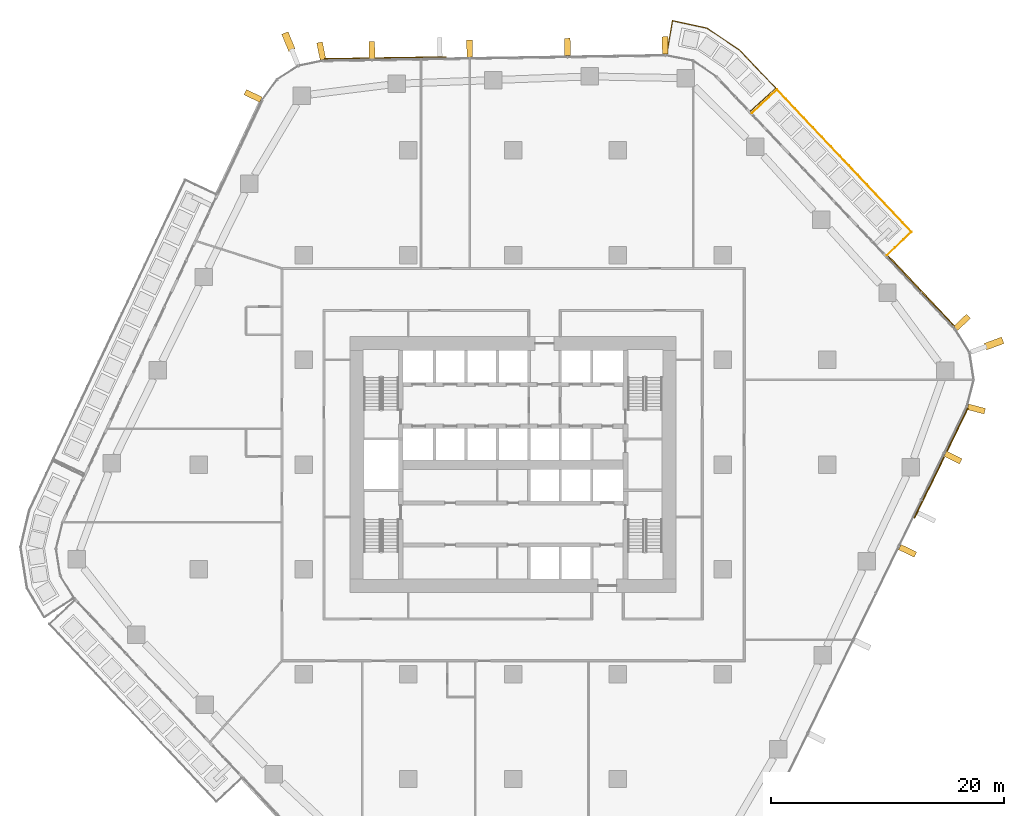
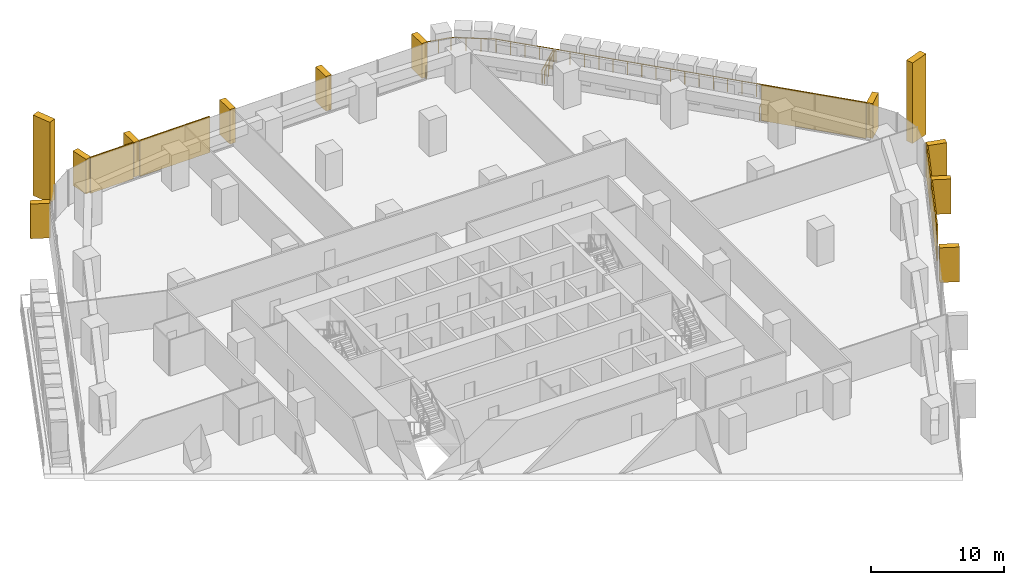
# One storey, part 25 of 25: 17 coverings, 2 railings, 6 elements without a shape of their own.
"""IFC4 building model written with IfcOpenShell, lengths in metres."""

from ifc_helpers import new_model, si_unit, direction, frame, origin, origin_2d, place, context, subcontext, project, spatial, rectangle, circle, extrude, material, layer, layer_set, material_profile, profile_set, type_object, element, aggregate, save


model = new_model("IFC4")

# Units and contexts
model_context = context("Model", 3, precision=1e-05, world=origin(), true_north=direction((0.0, 1.0)))
body_context = subcontext(model_context, "Body", "Model", "MODEL_VIEW")
ifc_project = project(units=[si_unit("LENGTHUNIT", "METRE"), si_unit("AREAUNIT", "SQUARE_METRE"), si_unit("VOLUMEUNIT", "CUBIC_METRE"), si_unit("PLANEANGLEUNIT", "RADIAN"), si_unit("MASSUNIT", "GRAM", prefix="KILO")], contexts=[model_context])

# Site, building, storey
site_placement = place(None, origin())
site = spatial("IfcSite", under=ifc_project, at=site_placement, CompositionType="ELEMENT")
building_placement = place(site_placement, origin())
building = spatial("IfcBuilding", under=site, at=building_placement, Name="Dongbaek Canopy Tower", CompositionType="ELEMENT")
storey_placement = place(building_placement, frame((0.0, 0.0, 77.300048828125)))
storey = spatial("IfcBuildingStorey", under=building, at=storey_placement, Name="L15", CompositionType="ELEMENT", Elevation=77.300048828125)

# Railings
ifc_material_1 = material(Name="Stainless steel", Category="steel")
railing_type = type_object("IfcRailingType", Name="Balcony balustrade 1200", PredefinedType="BALUSTRADE", material=ifc_material_1)
railing_1_placement = place(storey_placement, frame((32.0927734375, 17.977783203125, 0.0)))
element("IfcRailing", 1, at=railing_1_placement, inside=storey, type_object=railing_type, Name="Balcony guard L15 1", PredefinedType="BALUSTRADE", context=body_context, shape_type="SweptSolid", body=[
    extrude(circle(Radius=0.02392578125, at=origin_2d()), frame((0.0, 0.0, 1.17578125), z_axis=(0.726674541298, 0.686981885517, 0.0), x_axis=(-0.686981885517, 0.726674541298, 0.0)), (0.0, 0.0, 1.0), 2.940185546875),
    extrude(circle(Radius=0.02392578125, at=origin_2d()), frame((2.136474609375, 2.019775390625, 1.17578125), z_axis=(-0.687008178482, 0.726649683616, 0.0), x_axis=(-0.726649683616, -0.687008178482, 0.0)), (0.0, 0.0, 1.0), 16.82568359375),
    extrude(circle(Radius=0.02392578125, at=origin_2d()), frame((-9.4228515625, 14.24609375, 1.17578125), z_axis=(-0.72663534797, -0.687023341001, 0.0), x_axis=(0.687023341001, -0.72663534797, 0.0)), (0.0, 0.0, 1.0), 2.93994140625),
    extrude(circle(Radius=0.02099609375, at=origin_2d()), origin(), (0.0, 0.0, 1.0), 1.15185546875),
    extrude(circle(Radius=0.02099609375, at=origin_2d()), frame((0.712158203125, 0.67333984375, 0.0)), (0.0, 0.0, 1.0), 1.15185546875),
    extrude(circle(Radius=0.02099609375, at=origin_2d()), frame((1.42431640625, 1.346435546875, 0.0)), (0.0, 0.0, 1.0), 1.15185546875),
    extrude(circle(Radius=0.02099609375, at=origin_2d()), frame((2.136474609375, 2.019775390625, 0.0)), (0.0, 0.0, 1.0), 1.15185546875),
    extrude(circle(Radius=0.02099609375, at=origin_2d()), frame((1.365966796875, 2.8349609375, 0.0)), (0.0, 0.0, 1.0), 1.15185546875),
    extrude(circle(Radius=0.02099609375, at=origin_2d()), frame((0.59521484375, 3.64990234375, 0.0)), (0.0, 0.0, 1.0), 1.15185546875),
    extrude(circle(Radius=0.02099609375, at=origin_2d()), frame((-0.17529296875, 4.465087890625, 0.0)), (0.0, 0.0, 1.0), 1.15185546875),
    extrude(circle(Radius=0.02099609375, at=origin_2d()), frame((-0.946044921875, 5.280029296875, 0.0)), (0.0, 0.0, 1.0), 1.15185546875),
    extrude(circle(Radius=0.02099609375, at=origin_2d()), frame((-1.716552734375, 6.09521484375, 0.0)), (0.0, 0.0, 1.0), 1.15185546875),
    extrude(circle(Radius=0.02099609375, at=origin_2d()), frame((-2.4873046875, 6.910400390625, 0.0)), (0.0, 0.0, 1.0), 1.15185546875),
    extrude(circle(Radius=0.02099609375, at=origin_2d()), frame((-3.2578125, 7.725341796875, 0.0)), (0.0, 0.0, 1.0), 1.15185546875),
    extrude(circle(Radius=0.02099609375, at=origin_2d()), frame((-4.028564453125, 8.54052734375, 0.0)), (0.0, 0.0, 1.0), 1.15185546875),
    extrude(circle(Radius=0.02099609375, at=origin_2d()), frame((-4.799072265625, 9.35546875, 0.0)), (0.0, 0.0, 1.0), 1.15185546875),
    extrude(circle(Radius=0.02099609375, at=origin_2d()), frame((-5.56982421875, 10.170654296875, 0.0)), (0.0, 0.0, 1.0), 1.15185546875),
    extrude(circle(Radius=0.02099609375, at=origin_2d()), frame((-6.34033203125, 10.98583984375, 0.0)), (0.0, 0.0, 1.0), 1.15185546875),
    extrude(circle(Radius=0.02099609375, at=origin_2d()), frame((-7.111083984375, 11.80078125, 0.0)), (0.0, 0.0, 1.0), 1.15185546875),
    extrude(circle(Radius=0.02099609375, at=origin_2d()), frame((-7.881591796875, 12.615966796875, 0.0)), (0.0, 0.0, 1.0), 1.15185546875),
    extrude(circle(Radius=0.02099609375, at=origin_2d()), frame((-8.65234375, 13.430908203125, 0.0)), (0.0, 0.0, 1.0), 1.15185546875),
    extrude(circle(Radius=0.02099609375, at=origin_2d()), frame((-9.4228515625, 14.24609375, 0.0)), (0.0, 0.0, 1.0), 1.15185546875),
    extrude(circle(Radius=0.02099609375, at=origin_2d()), frame((-10.135009765625, 13.57275390625, 0.0)), (0.0, 0.0, 1.0), 1.15185546875),
    extrude(circle(Radius=0.02099609375, at=origin_2d()), frame((-10.846923828125, 12.899658203125, 0.0)), (0.0, 0.0, 1.0), 1.15185546875),
    extrude(circle(Radius=0.02099609375, at=origin_2d()), frame((-11.55908203125, 12.226318359375, 0.0)), (0.0, 0.0, 1.0), 1.15185546875),
])
railing_2_placement = place(storey_placement, frame((20.382568359375, 30.364013671875, 0.0)))
element("IfcRailing", 2, at=railing_2_placement, inside=storey, type_object=railing_type, Name="Balcony guard L15 5", PredefinedType="BALUSTRADE", context=body_context, shape_type="SweptSolid", body=[
    extrude(circle(Radius=0.02392578125, at=origin_2d()), frame((0.0, 0.0, 1.17578125), z_axis=(0.740525871867, 0.672027851429, 0.0), x_axis=(-0.672027851429, 0.740525871867, 0.0)), (0.0, 0.0, 1.0), 2.9404296875),
    extrude(circle(Radius=0.02392578125, at=origin_2d()), frame((2.177490234375, 1.97607421875, 1.17578125), z_axis=(-0.689539063017, 0.724248493663, 0.0), x_axis=(-0.724248493663, -0.689539063017, 0.0)), (0.0, 0.0, 1.0), 4.515625),
    extrude(circle(Radius=0.02392578125, at=origin_2d()), frame((-0.936279296875, 5.24658203125, 1.17578125), z_axis=(-0.829731235226, 0.55816312785, 0.0), x_axis=(-0.55816312785, -0.829731235226, 0.0)), (0.0, 0.0, 1.0), 3.37939453125),
    extrude(circle(Radius=0.02392578125, at=origin_2d()), frame((-3.740234375, 7.1328125, 1.17578125), z_axis=(-0.977538322671, 0.210757746498, 0.0), x_axis=(-0.210757746498, -0.977538322671, 0.0)), (0.0, 0.0, 1.0), 3.025634765625),
    extrude(circle(Radius=0.02392578125, at=origin_2d()), frame((-6.697998046875, 7.7705078125, 1.17578125), z_axis=(-0.170279451724, -0.985395813022, 0.0), x_axis=(0.985395813022, -0.170279451724, 0.0)), (0.0, 0.0, 1.0), 2.940673828125),
    extrude(circle(Radius=0.02099609375, at=origin_2d()), origin(), (0.0, 0.0, 1.0), 1.15185546875),
    extrude(circle(Radius=0.02099609375, at=origin_2d()), frame((0.725830078125, 0.65869140625, 0.0)), (0.0, 0.0, 1.0), 1.15185546875),
    extrude(circle(Radius=0.02099609375, at=origin_2d()), frame((1.45166015625, 1.3173828125, 0.0)), (0.0, 0.0, 1.0), 1.15185546875),
    extrude(circle(Radius=0.02099609375, at=origin_2d()), frame((2.177490234375, 1.97607421875, 0.0)), (0.0, 0.0, 1.0), 1.15185546875),
    extrude(circle(Radius=0.02099609375, at=origin_2d()), frame((1.39892578125, 2.793701171875, 0.0)), (0.0, 0.0, 1.0), 1.15185546875),
    extrude(circle(Radius=0.02099609375, at=origin_2d()), frame((0.62060546875, 3.611328125, 0.0)), (0.0, 0.0, 1.0), 1.15185546875),
    extrude(circle(Radius=0.02099609375, at=origin_2d()), frame((-0.15771484375, 4.428955078125, 0.0)), (0.0, 0.0, 1.0), 1.15185546875),
    extrude(circle(Radius=0.02099609375, at=origin_2d()), frame((-0.936279296875, 5.24658203125, 0.0)), (0.0, 0.0, 1.0), 1.15185546875),
    extrude(circle(Radius=0.02099609375, at=origin_2d()), frame((-1.870849609375, 5.875244140625, 0.0)), (0.0, 0.0, 1.0), 1.15185546875),
    extrude(circle(Radius=0.02099609375, at=origin_2d()), frame((-2.8056640625, 6.504150390625, 0.0)), (0.0, 0.0, 1.0), 1.15185546875),
    extrude(circle(Radius=0.02099609375, at=origin_2d()), frame((-3.740234375, 7.1328125, 0.0)), (0.0, 0.0, 1.0), 1.15185546875),
    extrude(circle(Radius=0.02099609375, at=origin_2d()), frame((-4.72607421875, 7.345458984375, 0.0)), (0.0, 0.0, 1.0), 1.15185546875),
    extrude(circle(Radius=0.02099609375, at=origin_2d()), frame((-5.712158203125, 7.557861328125, 0.0)), (0.0, 0.0, 1.0), 1.15185546875),
    extrude(circle(Radius=0.02099609375, at=origin_2d()), frame((-6.697998046875, 7.7705078125, 0.0)), (0.0, 0.0, 1.0), 1.15185546875),
    extrude(circle(Radius=0.02099609375, at=origin_2d()), frame((-6.864990234375, 6.8046875, 0.0)), (0.0, 0.0, 1.0), 1.15185546875),
    extrude(circle(Radius=0.02099609375, at=origin_2d()), frame((-7.03173828125, 5.838623046875, 0.0)), (0.0, 0.0, 1.0), 1.15185546875),
    extrude(circle(Radius=0.02099609375, at=origin_2d()), frame((-7.19873046875, 4.872802734375, 0.0)), (0.0, 0.0, 1.0), 1.15185546875),
])

# Curtain wall, covering
ifc_material_2 = material(Name="Aluminium 6063-T6 pale anodised", Category="aluminium")
ifc_layer_1 = layer(ifc_material_2, 0.199951171875)
ifc_layer_set_1 = layer_set([ifc_layer_1], Name="CW-1 unitised tower curtain wall")
curtain_wall_type = type_object("IfcCurtainWallType", Name="CW-1 unitised tower curtain wall", PredefinedType="NOTDEFINED", material=ifc_layer_set_1)
curtain_wall_1_placement = place(storey_placement, origin())
curtain_wall_1 = element("IfcCurtainWall", 3, at=curtain_wall_1_placement, inside=storey, type_object=curtain_wall_type, Name="CW-1 curtain wall K0.1", PredefinedType="NOTDEFINED")
ifc_material_3 = material(Name="Aluminium 6063-T6 pale metal fin", Category="aluminium")
ifc_material_profile_1 = material_profile(ifc_material_3, rectangle(XDim=1.60009765625, YDim=0.60009765625, at=origin_2d()), Name="Corner fin CN1 600 x 1600 pale metal")
ifc_profile_set_1 = profile_set([ifc_material_profile_1], Name="Aluminium 6063-T6 pale metal fin")
covering_type_1 = type_object("IfcCoveringType", Name="Corner fin CN1 600 x 1600 pale metal", PredefinedType="CLADDING", material=ifc_profile_set_1)
covering_1_placement = place(storey_placement, frame((41.30859375, 10.406982421875, -0.199951171875), z_axis=(0.0, 0.0, 1.0), x_axis=(0.938038410141, 0.346531298875, 0.0)))
covering_1 = element("IfcCovering", 4, at=covering_1_placement, type_object=covering_type_1, Name="Corner fin L15 L16 K0", PredefinedType="CLADDING", context=body_context, shape_type="SweptSolid", body=[
    extrude(rectangle(XDim=1.60009765625, YDim=0.60009765625, at=origin_2d()), origin(), (0.0, 0.0, 1.0), 7.3798828125),
])

curtain_wall_2_placement = place(storey_placement, origin())
curtain_wall_2 = element("IfcCurtainWall", 5, at=curtain_wall_2_placement, inside=storey, type_object=curtain_wall_type, Name="CW-1 curtain wall K2.1", PredefinedType="NOTDEFINED")
covering_2_placement = place(storey_placement, frame((-19.30078125, 36.342041015625, -0.199951171875), z_axis=(0.0, 0.0, 1.0), x_axis=(-0.377412519931, 0.926045241767, 0.0)))
covering_2 = element("IfcCovering", 6, at=covering_2_placement, type_object=covering_type_1, Name="Corner fin L15 L16 K2", PredefinedType="CLADDING", context=body_context, shape_type="SweptSolid", body=[
    extrude(rectangle(XDim=1.60009765625, YDim=0.60009765625, at=origin_2d()), origin(), (0.0, 0.0, 1.0), 7.3798828125),
])

# Curtain wall, coverings
curtain_wall_3_placement = place(storey_placement, origin())
curtain_wall_3 = element("IfcCurtainWall", 7, at=curtain_wall_3_placement, inside=storey, type_object=curtain_wall_type, Name="CW-1 curtain wall F5.1", PredefinedType="NOTDEFINED")
ifc_material_4 = material(Name="Perforated aluminium 6063-T6 pale metal screen", Category="aluminium")
ifc_layer_2 = layer(ifc_material_4, 0.10009765625)
ifc_layer_set_2 = layer_set([ifc_layer_2], Name="Facet screen FS1 100 pale metal")
covering_type_2 = type_object("IfcCoveringType", Name="Facet screen FS1 100 pale metal", PredefinedType="CLADDING", material=ifc_layer_set_2)
covering_3_placement = place(storey_placement, frame((35.7412109375, -1.961669921875, 0.0), z_axis=(0.0, 0.0, 1.0), x_axis=(0.437759255582, 0.899092227835, 0.0)))
covering_3 = element("IfcCovering", 8, at=covering_3_placement, type_object=covering_type_2, Name="Facet screen L15 F5", PredefinedType="CLADDING", context=body_context, shape_type="SweptSolid", body=[
    extrude(rectangle(XDim=5.843994140625, YDim=0.10009765625, at=origin_2d()), origin(), (0.0, 0.0, 1.0), 3.300048828125),
])
covering_4_placement = place(storey_placement, frame((38.15869140625, 3.003173828125, 0.0), z_axis=(0.0, 0.0, 1.0), x_axis=(0.437759255582, 0.899092227835, 0.0)))
covering_4 = element("IfcCovering", 9, at=covering_4_placement, type_object=covering_type_2, Name="Facet screen L15 F5", PredefinedType="CLADDING", context=body_context, shape_type="SweptSolid", body=[
    extrude(rectangle(XDim=4.039794921875, YDim=0.10009765625, at=origin_2d()), origin(), (0.0, 0.0, 1.0), 3.300048828125),
])

# Curtain wall, covering
curtain_wall_4_placement = place(storey_placement, origin())
curtain_wall_4 = element("IfcCurtainWall", 10, at=curtain_wall_4_placement, inside=storey, type_object=curtain_wall_type, Name="CW-1 curtain wall F0.1", PredefinedType="NOTDEFINED")
covering_5_placement = place(storey_placement, frame((35.0263671875, 14.94189453125, 0.0), z_axis=(0.0, 0.0, 1.0), x_axis=(-0.687005079101, 0.726652613901, 0.0)))
covering_5 = element("IfcCovering", 11, at=covering_5_placement, type_object=covering_type_2, Name="Facet screen L15 F0", PredefinedType="CLADDING", context=body_context, shape_type="SweptSolid", body=[
    extrude(rectangle(XDim=8.22265625, YDim=0.10009765625, at=origin_2d()), origin(), (0.0, 0.0, 1.0), 3.300048828125),
])

# Curtain wall, coverings
curtain_wall_5_placement = place(storey_placement, origin())
curtain_wall_5 = element("IfcCurtainWall", 12, at=curtain_wall_5_placement, inside=storey, type_object=curtain_wall_type, Name="CW-1 curtain wall F1.1", PredefinedType="NOTDEFINED")
covering_6_placement = place(storey_placement, frame((-8.779296875, 34.958984375, 0.0), z_axis=(0.0, 0.0, 1.0), x_axis=(-0.999875588534, -0.015773631607, 0.0)))
covering_6 = element("IfcCovering", 13, at=covering_6_placement, type_object=covering_type_2, Name="Facet screen L15 F1", PredefinedType="CLADDING", context=body_context, shape_type="SweptSolid", body=[
    extrude(rectangle(XDim=6.10400390625, YDim=0.10009765625, at=origin_2d()), origin(), (0.0, 0.0, 1.0), 3.300048828125),
])
covering_7_placement = place(storey_placement, frame((-14.294189453125, 34.871826171875, 0.0), z_axis=(0.0, 0.0, 1.0), x_axis=(-0.999875588534, -0.015773631607, 0.0)))
covering_7 = element("IfcCovering", 14, at=covering_7_placement, type_object=covering_type_2, Name="Facet screen L15 F1", PredefinedType="CLADDING", context=body_context, shape_type="SweptSolid", body=[
    extrude(rectangle(XDim=3.767333984375, YDim=0.10009765625, at=origin_2d()), origin(), (0.0, 0.0, 1.0), 3.300048828125),
])

# Covering
ifc_material_5 = material(Name="Aluminium 6063-T6 pale metal fin", Category="aluminium")
ifc_material_profile_2 = material_profile(ifc_material_5, rectangle(XDim=1.5, YDim=0.5, at=origin_2d()), Name="Fin FN1 500 x 1500 pale metal")
ifc_profile_set_2 = profile_set([ifc_material_profile_2], Name="Aluminium 6063-T6 pale metal fin")
covering_type_3 = type_object("IfcCoveringType", Name="Fin FN1 500 x 1500 pale metal", PredefinedType="CLADDING", material=ifc_profile_set_2)
covering_8_placement = place(storey_placement, frame((39.787109375, 4.779296875, 0.119873046875), z_axis=(0.0, 0.0, 1.0), x_axis=(0.968574939912, -0.248721904492, 0.0)))
covering_8 = element("IfcCovering", 15, at=covering_8_placement, type_object=covering_type_3, Name="Fin K0.1.1", PredefinedType="CLADDING", context=body_context, shape_type="SweptSolid", body=[
    extrude(rectangle(XDim=1.5, YDim=0.5, at=origin_2d()), origin(), (0.0, 0.0, 1.0), 3.18017578125),
])

aggregate(curtain_wall_1, [covering_8, covering_1])

covering_9_placement = place(storey_placement, frame((38.561767578125, 12.227294921875, 0.119873046875), z_axis=(0.0, 0.0, 1.0), x_axis=(0.72665252709, 0.687005170923, 0.0)))
covering_9 = element("IfcCovering", 16, at=covering_9_placement, type_object=covering_type_3, Name="Fin F0.1.1", PredefinedType="CLADDING", context=body_context, shape_type="SweptSolid", body=[
    extrude(rectangle(XDim=1.5, YDim=0.5, at=origin_2d()), origin(), (0.0, 0.0, 1.0), 3.18017578125),
])

aggregate(curtain_wall_4, [covering_9, covering_5])

covering_10_placement = place(storey_placement, frame((13.0537109375, 36.007568359375, 0.119873046875), z_axis=(0.0, 0.0, 1.0), x_axis=(-0.015774398409, 0.999875576437, 0.0)))
covering_10 = element("IfcCovering", 17, at=covering_10_placement, type_object=covering_type_3, Name="Fin F1.1.1", PredefinedType="CLADDING", context=body_context, shape_type="SweptSolid", body=[
    extrude(rectangle(XDim=1.5, YDim=0.5, at=origin_2d()), origin(), (0.0, 0.0, 1.0), 3.18017578125),
])

covering_11_placement = place(storey_placement, frame((4.66552734375, 35.875244140625, 0.119873046875), z_axis=(0.0, 0.0, 1.0), x_axis=(-0.015774398409, 0.999875576437, 0.0)))
covering_11 = element("IfcCovering", 18, at=covering_11_placement, type_object=covering_type_3, Name="Fin F1.1.3", PredefinedType="CLADDING", context=body_context, shape_type="SweptSolid", body=[
    extrude(rectangle(XDim=1.5, YDim=0.5, at=origin_2d()), origin(), (0.0, 0.0, 1.0), 3.18017578125),
])

covering_12_placement = place(storey_placement, frame((-3.733154296875, 35.74267578125, 0.119873046875), z_axis=(0.0, 0.0, 1.0), x_axis=(-0.015774398409, 0.999875576437, 0.0)))
covering_12 = element("IfcCovering", 19, at=covering_12_placement, type_object=covering_type_3, Name="Fin F1.1.5", PredefinedType="CLADDING", context=body_context, shape_type="SweptSolid", body=[
    extrude(rectangle(XDim=1.5, YDim=0.5, at=origin_2d()), origin(), (0.0, 0.0, 1.0), 3.18017578125),
])

covering_13_placement = place(storey_placement, frame((-12.1318359375, 35.610107421875, 0.119873046875), z_axis=(0.0, 0.0, 1.0), x_axis=(-0.015774398409, 0.999875576437, 0.0)))
covering_13 = element("IfcCovering", 20, at=covering_13_placement, type_object=covering_type_3, Name="Fin F1.1.7", PredefinedType="CLADDING", context=body_context, shape_type="SweptSolid", body=[
    extrude(rectangle(XDim=1.5, YDim=0.5, at=origin_2d()), origin(), (0.0, 0.0, 1.0), 3.18017578125),
])

aggregate(curtain_wall_5, [covering_10, covering_11, covering_12, covering_13, covering_6, covering_7])

covering_14_placement = place(storey_placement, frame((-16.478515625, 35.52685546875, 0.119873046875), z_axis=(0.0, 0.0, 1.0), x_axis=(-0.200028966133, 0.97978998398, 0.0)))
covering_14 = element("IfcCovering", 21, at=covering_14_placement, type_object=covering_type_3, Name="Fin K2.1.1", PredefinedType="CLADDING", context=body_context, shape_type="SweptSolid", body=[
    extrude(rectangle(XDim=1.5, YDim=0.5, at=origin_2d()), origin(), (0.0, 0.0, 1.0), 3.18017578125),
])

aggregate(curtain_wall_2, [covering_14, covering_2])

# Curtain wall, covering
curtain_wall_6_placement = place(storey_placement, origin())
curtain_wall_6 = element("IfcCurtainWall", 22, at=curtain_wall_6_placement, inside=storey, type_object=curtain_wall_type, Name="CW-1 curtain wall F2.1", PredefinedType="NOTDEFINED")
covering_15_placement = place(storey_placement, frame((-22.33203125, 31.669677734375, 0.119873046875), z_axis=(0.0, 0.0, 1.0), x_axis=(-0.904177236997, 0.427157493317, 0.0)))
covering_15 = element("IfcCovering", 23, at=covering_15_placement, type_object=covering_type_3, Name="Fin F2.1.1", PredefinedType="CLADDING", context=body_context, shape_type="SweptSolid", body=[
    extrude(rectangle(XDim=1.5, YDim=0.5, at=origin_2d()), origin(), (0.0, 0.0, 1.0), 3.18017578125),
])
aggregate(curtain_wall_6, [covering_15])

# Covering
covering_16_placement = place(storey_placement, frame((33.875732421875, -7.401123046875, 0.119873046875), z_axis=(0.0, 0.0, 1.0), x_axis=(0.899092424879, -0.437758850882, 0.0)))
covering_16 = element("IfcCovering", 24, at=covering_16_placement, type_object=covering_type_3, Name="Fin F5.1.7", PredefinedType="CLADDING", context=body_context, shape_type="SweptSolid", body=[
    extrude(rectangle(XDim=1.5, YDim=0.5, at=origin_2d()), origin(), (0.0, 0.0, 1.0), 3.18017578125),
])

covering_17_placement = place(storey_placement, frame((37.7802734375, 0.6181640625, 0.119873046875), z_axis=(0.0, 0.0, 1.0), x_axis=(0.899092424879, -0.437758850882, 0.0)))
covering_17 = element("IfcCovering", 25, at=covering_17_placement, type_object=covering_type_3, Name="Fin F5.1.9", PredefinedType="CLADDING", context=body_context, shape_type="SweptSolid", body=[
    extrude(rectangle(XDim=1.5, YDim=0.5, at=origin_2d()), origin(), (0.0, 0.0, 1.0), 3.18017578125),
])

aggregate(curtain_wall_3, [covering_16, covering_17, covering_3, covering_4])

save(model, "model.ifc")
